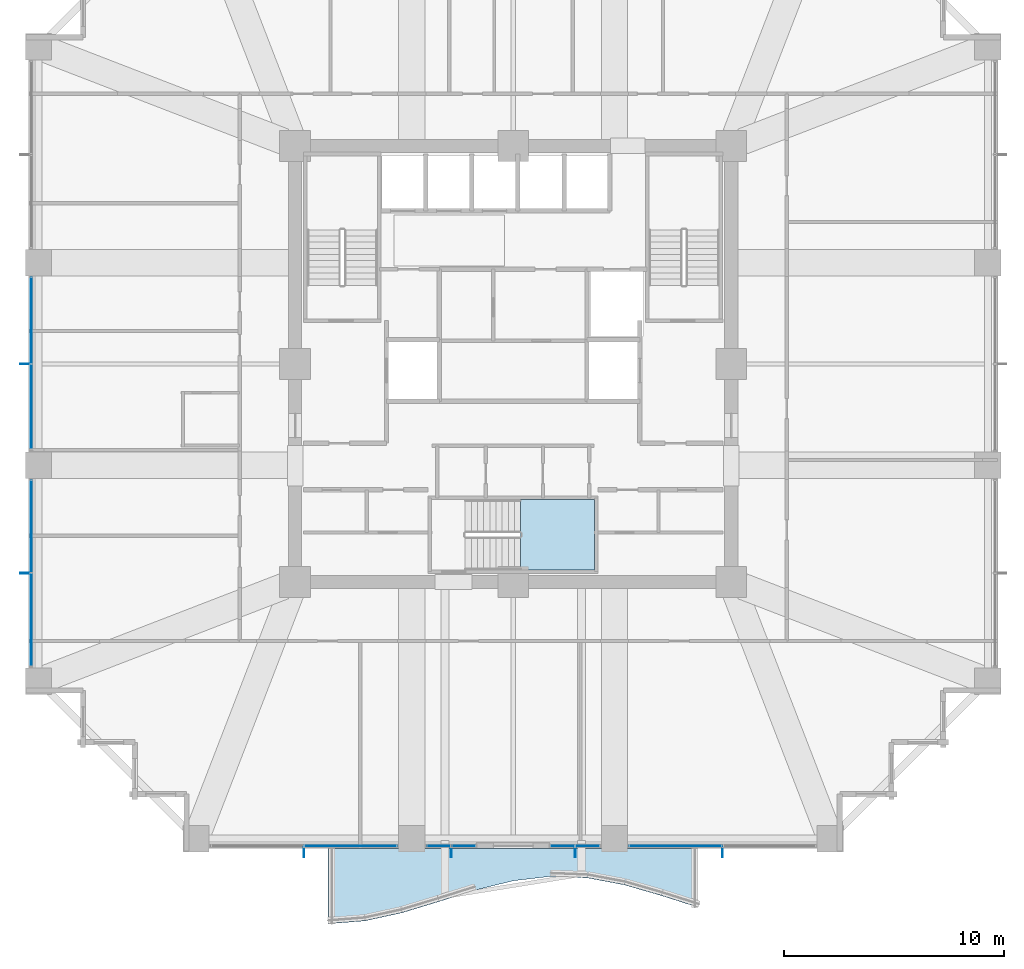
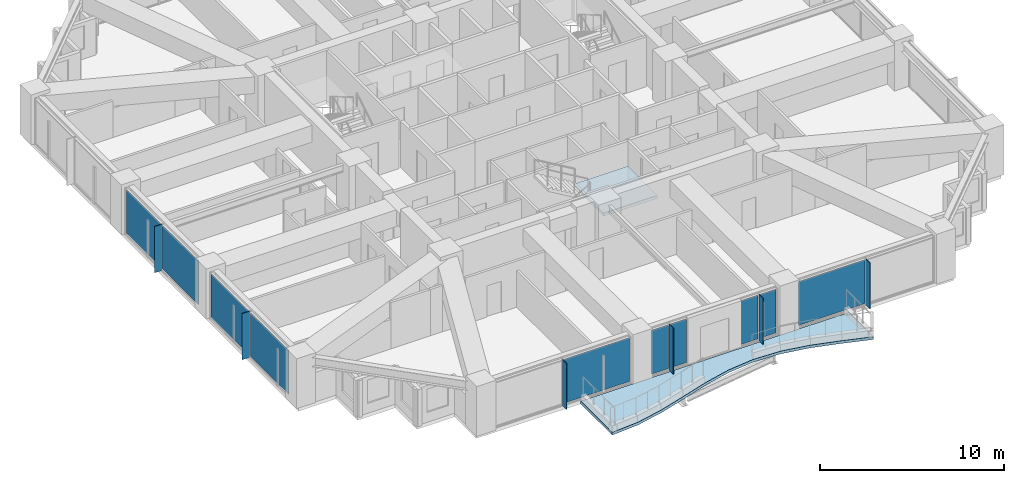
# One storey, part 27 of 37: 16 plates, 2 slabs, 7 elements without a shape of their own.
"""IFC4 building model written with IfcOpenShell, lengths in metres."""

from ifc_helpers import new_model, si_unit, direction, frame, origin, origin_2d, place, context, subcontext, project, spatial, polyline, rectangle, outline, extrude, material, layer, layer_set, type_object, element, aggregate, save


model = new_model("IFC4")

# Units and contexts
model_context = context("Model", 3, precision=1e-05, world=origin(), true_north=direction((0.0, 1.0)))
body_context = subcontext(model_context, "Body", "Model", "MODEL_VIEW")
ifc_project = project(units=[si_unit("LENGTHUNIT", "METRE"), si_unit("AREAUNIT", "SQUARE_METRE"), si_unit("VOLUMEUNIT", "CUBIC_METRE"), si_unit("PLANEANGLEUNIT", "RADIAN"), si_unit("MASSUNIT", "GRAM", prefix="KILO")], contexts=[model_context])

# Site, building, storey
site_placement = place(None, origin())
site = spatial("IfcSite", under=ifc_project, at=site_placement, CompositionType="ELEMENT")
building_placement = place(site_placement, origin())
building = spatial("IfcBuilding", under=site, at=building_placement, Name="Kolvaren Belvedere", CompositionType="ELEMENT")
storey_placement = place(building_placement, frame((0.0, 0.0, 37.0)))
storey = spatial("IfcBuildingStorey", under=building, at=storey_placement, Name="L10", CompositionType="ELEMENT", Elevation=37.0)

# Curtain wall, plate
ifc_material_1 = material(Name="Anodised pale-metal aluminium AA 6063-T6", Category="aluminium")
curtain_wall_type = type_object("IfcCurtainWallType", Name="CW-Z1-LOW", PredefinedType="NOTDEFINED", material=ifc_material_1)
curtain_wall_1_placement = place(storey_placement, origin())
curtain_wall_1 = element("IfcCurtainWall", 1, at=curtain_wall_1_placement, inside=storey, type_object=curtain_wall_type, Name="L10 Unitised Curtain Wall FCW-L10-S1-B1", PredefinedType="NOTDEFINED")
ifc_material_2 = material(Name="Low-iron triple insulated glass", Category="glass")
ifc_layer_1 = layer(ifc_material_2, 0.028076171875)
ifc_layer_set_1 = layer_set([ifc_layer_1], Name="Low-iron triple insulated glass")
plate_type_1 = type_object("IfcPlateType", Name="CW-PNL-VIS28", PredefinedType="CURTAIN_PANEL", material=ifc_layer_set_1)
plate_1_placement = place(storey_placement, frame((7.37744140625, -21.8798828125, 0.080078125), z_axis=(0.0, 0.0, 1.0), x_axis=(-1.0, 0.0, 0.0)))
plate_1 = element("IfcPlate", 2, at=plate_1_placement, type_object=plate_type_1, Name="FCW-L10-S1-B1 Vision Glazing Panel 2", PredefinedType="CURTAIN_PANEL", context=body_context, shape_type="SweptSolid", body=[
    extrude(rectangle(XDim=4.1650390625, YDim=0.028076171875, at=origin_2d()), origin(), (0.0, 0.0, 1.0), 2.89990234375),
])
aggregate(curtain_wall_1, [plate_1])

# Curtain wall, plates
curtain_wall_2_placement = place(storey_placement, origin())
curtain_wall_2 = element("IfcCurtainWall", 3, at=curtain_wall_2_placement, inside=storey, type_object=curtain_wall_type, Name="L10 Unitised Curtain Wall FCW-L10-S1-B2", PredefinedType="NOTDEFINED")
plate_2_placement = place(storey_placement, frame((3.37890625, -21.8798828125, 0.080078125), z_axis=(0.0, 0.0, 1.0), x_axis=(-1.0, 0.0, 0.0)))
plate_2 = element("IfcPlate", 4, at=plate_2_placement, type_object=plate_type_1, Name="FCW-L10-S1-B2 Vision Glazing Panel 1", PredefinedType="CURTAIN_PANEL", context=body_context, shape_type="SweptSolid", body=[
    extrude(rectangle(XDim=1.052490234375, YDim=0.028076171875, at=origin_2d()), origin(), (0.0, 0.0, 1.0), 2.89990234375),
])
plate_3_placement = place(storey_placement, frame((2.24609375, -21.8798828125, 0.080078125), z_axis=(0.0, 0.0, 1.0), x_axis=(-1.0, 0.0, 0.0)))
plate_3 = element("IfcPlate", 5, at=plate_3_placement, type_object=plate_type_1, Name="FCW-L10-S1-B2 Vision Glazing Panel 2", PredefinedType="CURTAIN_PANEL", context=body_context, shape_type="SweptSolid", body=[
    extrude(rectangle(XDim=1.052490234375, YDim=0.028076171875, at=origin_2d()), origin(), (0.0, 0.0, 1.0), 2.89990234375),
])
aggregate(curtain_wall_2, [plate_2, plate_3])

curtain_wall_3_placement = place(storey_placement, origin())
curtain_wall_3 = element("IfcCurtainWall", 6, at=curtain_wall_3_placement, inside=storey, type_object=curtain_wall_type, Name="L10 Unitised Curtain Wall FCW-L10-S2-B1", PredefinedType="NOTDEFINED")
plate_4_placement = place(storey_placement, frame((-2.24609375, -21.8798828125, 0.080078125), z_axis=(0.0, 0.0, 1.0), x_axis=(-1.0, 0.0, 0.0)))
plate_4 = element("IfcPlate", 7, at=plate_4_placement, type_object=plate_type_1, Name="FCW-L10-S2-B1 Vision Glazing Panel 1", PredefinedType="CURTAIN_PANEL", context=body_context, shape_type="SweptSolid", body=[
    extrude(rectangle(XDim=1.052490234375, YDim=0.028076171875, at=origin_2d()), origin(), (0.0, 0.0, 1.0), 2.89990234375),
])
plate_5_placement = place(storey_placement, frame((-3.378662109375, -21.8798828125, 0.080078125), z_axis=(0.0, 0.0, 1.0), x_axis=(-1.0, 0.0, 0.0)))
plate_5 = element("IfcPlate", 8, at=plate_5_placement, type_object=plate_type_1, Name="FCW-L10-S2-B1 Vision Glazing Panel 2", PredefinedType="CURTAIN_PANEL", context=body_context, shape_type="SweptSolid", body=[
    extrude(rectangle(XDim=1.052490234375, YDim=0.028076171875, at=origin_2d()), origin(), (0.0, 0.0, 1.0), 2.89990234375),
])
aggregate(curtain_wall_3, [plate_4, plate_5])

# Curtain wall, plate
curtain_wall_4_placement = place(storey_placement, origin())
curtain_wall_4 = element("IfcCurtainWall", 9, at=curtain_wall_4_placement, inside=storey, type_object=curtain_wall_type, Name="L10 Unitised Curtain Wall FCW-L10-S2-B2", PredefinedType="NOTDEFINED")
plate_6_placement = place(storey_placement, frame((-7.37744140625, -21.8798828125, 0.080078125), z_axis=(0.0, 0.0, 1.0), x_axis=(-1.0, 0.0, 0.0)))
plate_6 = element("IfcPlate", 10, at=plate_6_placement, type_object=plate_type_1, Name="FCW-L10-S2-B2 Vision Glazing Panel 1", PredefinedType="CURTAIN_PANEL", context=body_context, shape_type="SweptSolid", body=[
    extrude(rectangle(XDim=4.1650390625, YDim=0.028076171875, at=origin_2d()), origin(), (0.0, 0.0, 1.0), 2.89990234375),
])
aggregate(curtain_wall_4, [plate_6])

# Curtain wall, plates
curtain_wall_5_placement = place(storey_placement, origin())
curtain_wall_5 = element("IfcCurtainWall", 11, at=curtain_wall_5_placement, inside=storey, type_object=curtain_wall_type, Name="L10 Unitised Curtain Wall FCW-L10-W-B1", PredefinedType="NOTDEFINED")
plate_7_placement = place(storey_placement, frame((-21.8798828125, -11.62255859375, 0.080078125), z_axis=(0.0, 0.0, 1.0), x_axis=(0.0, 1.0, 0.0)))
plate_7 = element("IfcPlate", 12, at=plate_7_placement, type_object=plate_type_1, Name="FCW-L10-W-B1 Vision Glazing Panel 1", PredefinedType="CURTAIN_PANEL", context=body_context, shape_type="SweptSolid", body=[
    extrude(rectangle(XDim=4.1650390625, YDim=0.028076171875, at=origin_2d()), origin(), (0.0, 0.0, 1.0), 2.89990234375),
])
plate_8_placement = place(storey_placement, frame((-21.8798828125, -7.37744140625, 0.080078125), z_axis=(0.0, 0.0, 1.0), x_axis=(0.0, 1.0, 0.0)))
plate_8 = element("IfcPlate", 13, at=plate_8_placement, type_object=plate_type_1, Name="FCW-L10-W-B1 Vision Glazing Panel 2", PredefinedType="CURTAIN_PANEL", context=body_context, shape_type="SweptSolid", body=[
    extrude(rectangle(XDim=4.1650390625, YDim=0.028076171875, at=origin_2d()), origin(), (0.0, 0.0, 1.0), 2.89990234375),
])
aggregate(curtain_wall_5, [plate_7, plate_8])

curtain_wall_6_placement = place(storey_placement, origin())
curtain_wall_6 = element("IfcCurtainWall", 14, at=curtain_wall_6_placement, inside=storey, type_object=curtain_wall_type, Name="L10 Unitised Curtain Wall FCW-L10-W-B2", PredefinedType="NOTDEFINED")
plate_9_placement = place(storey_placement, frame((-21.8798828125, -1.972412109375, 0.080078125), z_axis=(0.0, 0.0, 1.0), x_axis=(0.0, 1.0, 0.0)))
plate_9 = element("IfcPlate", 15, at=plate_9_placement, type_object=plate_type_1, Name="FCW-L10-W-B2 Vision Glazing Panel 1", PredefinedType="CURTAIN_PANEL", context=body_context, shape_type="SweptSolid", body=[
    extrude(rectangle(XDim=3.864990234375, YDim=0.028076171875, at=origin_2d()), origin(), (0.0, 0.0, 1.0), 2.89990234375),
])
plate_10_placement = place(storey_placement, frame((-21.8798828125, 1.972412109375, 0.080078125), z_axis=(0.0, 0.0, 1.0), x_axis=(0.0, 1.0, 0.0)))
plate_10 = element("IfcPlate", 16, at=plate_10_placement, type_object=plate_type_1, Name="FCW-L10-W-B2 Vision Glazing Panel 2", PredefinedType="CURTAIN_PANEL", context=body_context, shape_type="SweptSolid", body=[
    extrude(rectangle(XDim=3.864990234375, YDim=0.028076171875, at=origin_2d()), origin(), (0.0, 0.0, 1.0), 2.89990234375),
])
aggregate(curtain_wall_6, [plate_9, plate_10])

# Plates
ifc_material_3 = material(Name="Anodised pale-metal aluminium AA 6063-T6", Category="aluminium")
ifc_layer_2 = layer(ifc_material_3, 0.0380859375)
ifc_layer_set_2 = layer_set([ifc_layer_2], Name="Anodised pale-metal aluminium AA 6063-T6")
plate_type_2 = type_object("IfcPlateType", Name="FIN-VERT-450", PredefinedType="USERDEFINED", material=ifc_layer_set_2)
for number, where, z_axis, x_axis, name in (
    (17, (9.5, -22.1650390625, 0.0), (0.0, 0.0, 1.0), (0.0, 1.0, 0.0), "L10 Pale-Metal Vertical Shading Fin FCW-L10-S1-B1-1"),
    (18, (2.8125, -22.1650390625, 0.0), (0.0, 0.0, 1.0), (0.0, 1.0, 0.0), "L10 Pale-Metal Vertical Shading Fin FCW-L10-S1-B2-1"),
    (19, (-2.8125, -22.1650390625, 0.0), (0.0, 0.0, 1.0), (0.0, 1.0, 0.0), "L10 Pale-Metal Vertical Shading Fin FCW-L10-S2-B1-1"),
    (20, (-9.5, -22.1650390625, 0.0), (0.0, 0.0, 1.0), (0.0, 1.0, 0.0), "L10 Pale-Metal Vertical Shading Fin FCW-L10-S2-B2-1"),
    (21, (-22.1650390625, -9.5, 0.0), (0.0, 0.0, 1.0), (1.0, 0.0, 0.0), "L10 Pale-Metal Vertical Shading Fin FCW-L10-W-B1-1"),
    (22, (-22.1650390625, 0.0, 0.0), (0.0, 0.0, 1.0), (1.0, 0.0, 0.0), "L10 Pale-Metal Vertical Shading Fin FCW-L10-W-B2-1"),
):
    element("IfcPlate", number, at=place(storey_placement, frame(where, z_axis=z_axis, x_axis=x_axis)), inside=storey, type_object=plate_type_2, Name=name, ObjectType="VERTICAL FIN", PredefinedType="USERDEFINED", context=body_context, shape_type="SweptSolid", body=[
        extrude(rectangle(XDim=0.449951171875, YDim=0.0380859375, at=origin_2d()), origin(), (0.0, 0.0, 1.0), 3.06005859375),
    ])

# Slab
ifc_material_4 = material(Name="Concrete C50/60", Category="concrete")
ifc_layer_3 = layer(ifc_material_4, 0.179931640625)
ifc_layer_set_3 = layer_set([ifc_layer_3], Name="Concrete C50/60")
slab_type_1 = type_object("IfcSlabType", Name="SL-BAL-180", PredefinedType="FLOOR", material=ifc_layer_set_3)
slab_1_placement = place(storey_placement, frame((0.0, 0.0, -0.239990234375)))
element("IfcSlab", 23, at=slab_1_placement, inside=storey, type_object=slab_type_1, Name="L10 Planted Balcony BAL-S", PredefinedType="FLOOR", context=body_context, shape_type="SweptSolid", body=[
    extrude(outline(polyline([(-8.39990234375, -25.419921875), (-6.719970703125, -25.286376953125), (-5.0400390625, -24.918701171875), (-3.360107421875, -24.40771484375), (-1.679931640625, -23.880126953125), (0.0, -23.46630859375), (1.679931640625, -23.2685546875), (3.360107421875, -23.335693359375), (5.0400390625, -23.651611328125), (6.719970703125, -24.1376953125), (8.39990234375, -24.673583984375), (8.39990234375, -22.0), (6.719970703125, -22.0), (5.0400390625, -22.0), (3.360107421875, -22.0), (1.679931640625, -22.0), (0.0, -22.0), (-1.679931640625, -22.0), (-3.360107421875, -22.0), (-5.0400390625, -22.0), (-6.719970703125, -22.0), (-8.39990234375, -22.0), (-8.39990234375, -25.419921875)])), origin(), (0.0, 0.0, 1.0), 0.179931640625),
])

# Stair, slab
ifc_material_5 = material(Name="Concrete C50/60", Category="concrete")
stair_type = type_object("IfcStairType", Name="ST-CORE-1520", PredefinedType="HALF_TURN_STAIR", material=ifc_material_5)
stair_placement = place(storey_placement, origin())
stair = element("IfcStair", 24, at=stair_placement, inside=storey, type_object=stair_type, Name="L10 Protected Exit Stair ST-3", PredefinedType="HALF_TURN_STAIR")
ifc_material_6 = material(Name="Concrete C50/60", Category="concrete")
ifc_layer_4 = layer(ifc_material_6, 0.260009765625)
ifc_layer_set_4 = layer_set([ifc_layer_4], Name="Concrete C50/60")
slab_type_2 = type_object("IfcSlabType", Name="SL-LAND-260", PredefinedType="LANDING", material=ifc_layer_set_4)
slab_2_placement = place(storey_placement, frame((0.0, 0.0, 1.449951171875)))
slab_2 = element("IfcSlab", 25, at=slab_2_placement, type_object=slab_type_2, Name="ST-3 landing 1", PredefinedType="LANDING", context=body_context, shape_type="SweptSolid", body=[
    extrude(outline(polyline([(0.340087890625, -9.35009765625), (3.699951171875, -9.35009765625), (3.699951171875, -6.159912109375), (0.340087890625, -6.159912109375), (0.340087890625, -9.35009765625)])), origin(), (0.0, 0.0, 1.0), 0.199951171875),
])
aggregate(stair, [slab_2])

save(model, "model.ifc")
